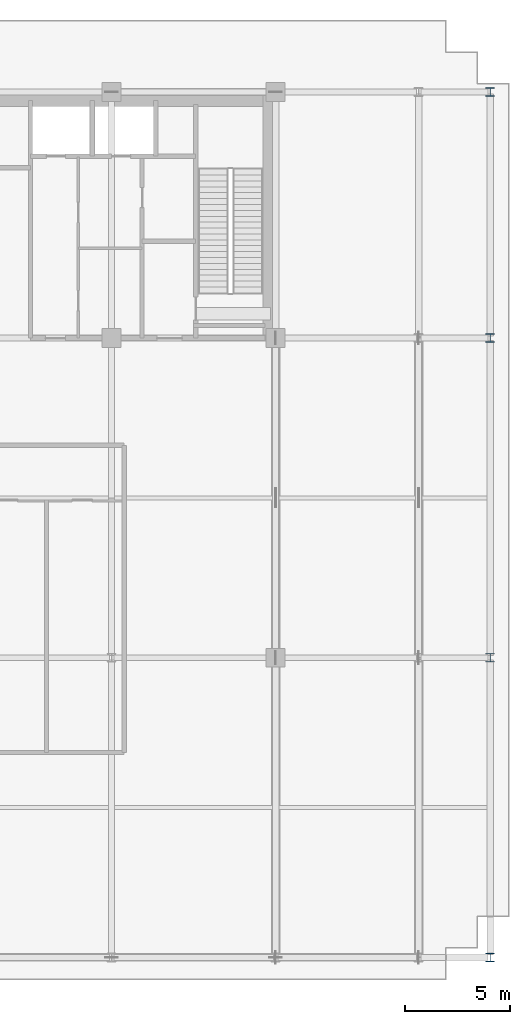
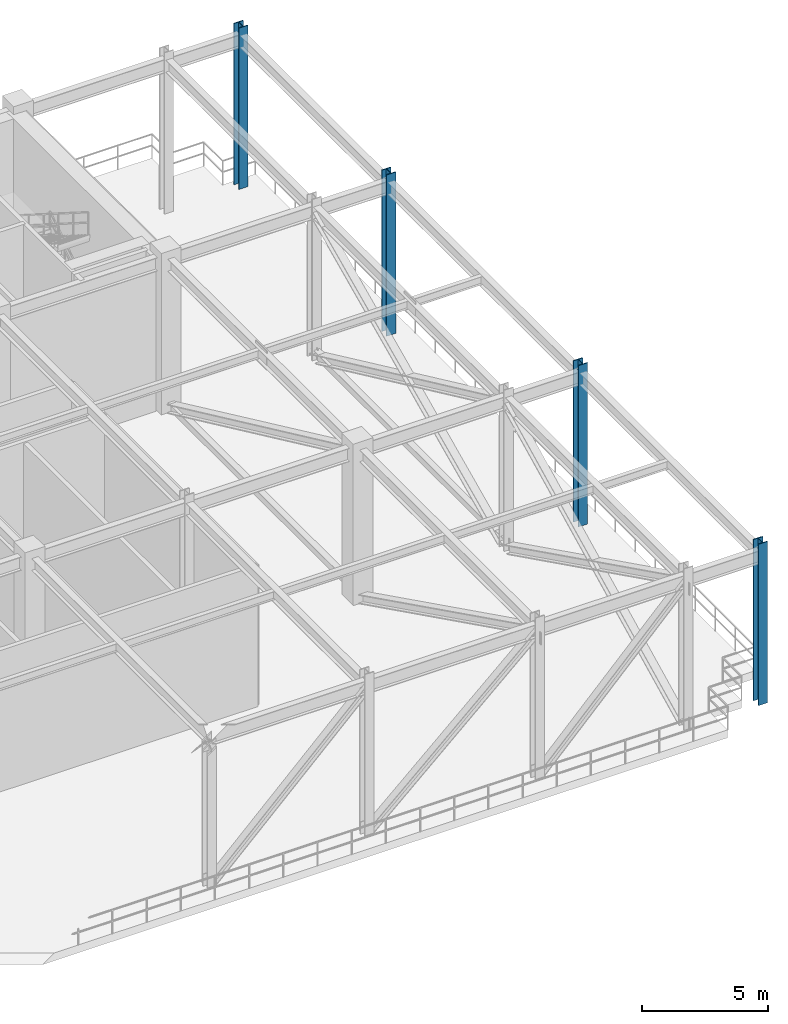
# One storey, part 3 of 16: 4 columns.
"""IFC4 building model written with IfcOpenShell, lengths in metres."""

from ifc_helpers import new_model, si_unit, direction, frame, origin, origin_2d, place, context, subcontext, project, spatial, i_section, extrude, source, transform, mapped, material, material_profile, profile_set, type_object, element, save


model = new_model("IFC4")

# Units and contexts
model_context = context("Model", 3, precision=1e-05, world=origin(), true_north=direction((0.0, 1.0)))
body_context = subcontext(model_context, "Body", "Model", "MODEL_VIEW")
ifc_project = project(units=[si_unit("LENGTHUNIT", "METRE"), si_unit("AREAUNIT", "SQUARE_METRE"), si_unit("VOLUMEUNIT", "CUBIC_METRE"), si_unit("PLANEANGLEUNIT", "RADIAN"), si_unit("MASSUNIT", "GRAM", prefix="KILO")], contexts=[model_context])

# Site, building, storey
site_placement = place(None, origin())
site = spatial("IfcSite", under=ifc_project, at=site_placement, CompositionType="ELEMENT")
building_placement = place(site_placement, origin())
building = spatial("IfcBuilding", under=site, at=building_placement, Name="Trelvane Seafront Commons", CompositionType="ELEMENT")
storey_placement = place(building_placement, frame((0.0, 0.0, 73.89990234375)))
storey = spatial("IfcBuildingStorey", under=building, at=storey_placement, Name="L19", CompositionType="ELEMENT", Elevation=73.89990234375)

# Columns
ifc_material = material(Name="Steel SM355 (S355)", Category="steel")
ifc_material_profile = material_profile(ifc_material, i_section(OverallWidth=0.419921875, OverallDepth=0.419921875, WebThickness=0.02587890625, FlangeThickness=0.0400390625, at=origin_2d()), Name="HD-420x420x26x40")
ifc_profile_set = profile_set([ifc_material_profile], Name="Steel SM355 (S355)")
column_type = type_object("IfcColumnType", Name="STR-COL-HD420", PredefinedType="COLUMN", material=ifc_profile_set)
shared_shape = source(origin(), body_context, "Body", "SweptSolid", [
    extrude(i_section(OverallWidth=0.419921875, OverallDepth=0.419921875, WebThickness=0.02587890625, FlangeThickness=0.0400390625, at=origin_2d()), origin(), (0.0, 0.0, 1.0), 7.800048828125),
])
for number, where, z_axis, x_axis, name in (
    (1, (69.0, 3.949951171875, 0.0), (0.0, 0.0, 1.0), (1.0, 0.0, 0.0), "L19 Column TC-S69.0"),
    (2, (69.0, 18.199951171875, 0.0), (0.0, 0.0, 1.0), (1.0, 0.0, 0.0), "L19 Column TC-M69.0"),
    (3, (69.0, 33.39990234375, 0.0), (0.0, 0.0, 1.0), (1.0, 0.0, 0.0), "L19 Column TC-CS69.0"),
    (4, (69.0, 45.10009765625, 0.0), (0.0, 0.0, 1.0), (1.0, 0.0, 0.0), "L19 Column TC-CN69.0"),
):
    element("IfcColumn", number, at=place(storey_placement, frame(where, z_axis=z_axis, x_axis=x_axis)), inside=storey, type_object=column_type, Name=name, PredefinedType="COLUMN", context=body_context, shape_type="MappedRepresentation", body=[
        mapped(shared_shape, transform((0.0, 0.0, 0.0), x_axis=(1.0, 0.0, 0.0), y_axis=(0.0, 1.0, 0.0), z_axis=(0.0, 0.0, 1.0), scale=1.0)),
    ])

save(model, "model.ifc")
